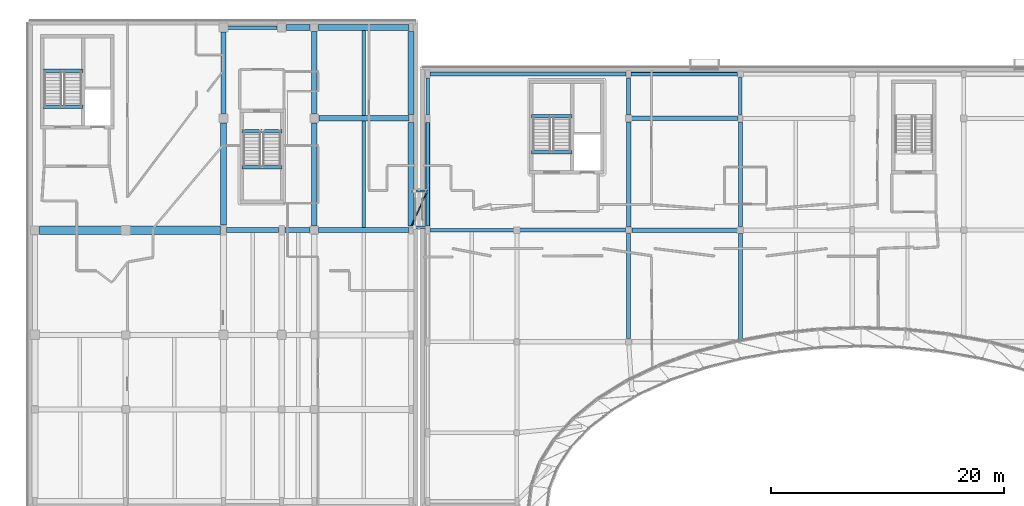
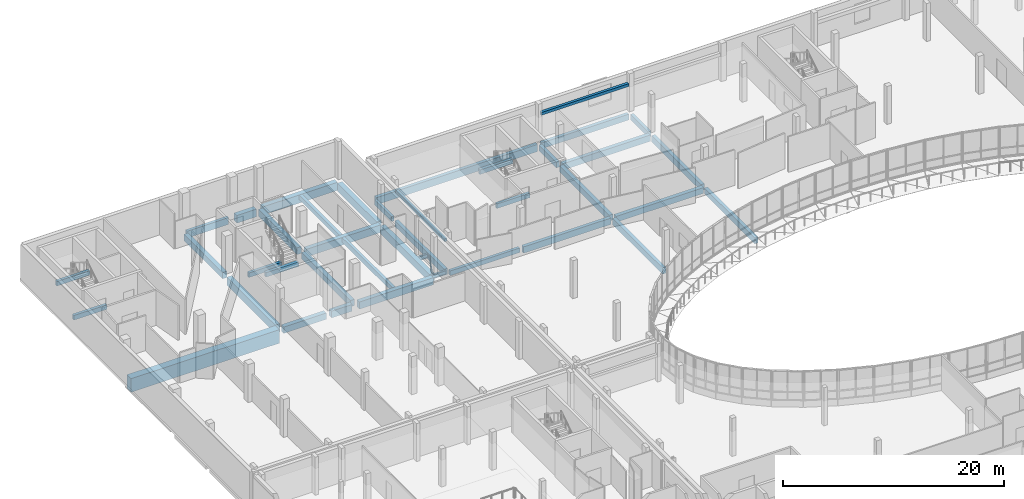
# One storey, part 22 of 84: 40 beams, 1 member.
"""IFC4 building model written with IfcOpenShell, lengths in metres."""

from ifc_helpers import new_model, si_unit, direction, frame, origin, origin_2d, place, context, subcontext, project, spatial, rectangle, hollow_rectangle, i_section, extrude, material, material_profile, profile_set, type_object, element, save


model = new_model("IFC4")

# Units and contexts
model_context = context("Model", 3, precision=1e-05, world=origin(), true_north=direction((0.0, 1.0)))
body_context = subcontext(model_context, "Body", "Model", "MODEL_VIEW")
ifc_project = project(units=[si_unit("LENGTHUNIT", "METRE"), si_unit("AREAUNIT", "SQUARE_METRE"), si_unit("VOLUMEUNIT", "CUBIC_METRE"), si_unit("PLANEANGLEUNIT", "RADIAN"), si_unit("MASSUNIT", "GRAM", prefix="KILO")], contexts=[model_context])

# Site, building, storey
site_placement = place(None, origin())
site = spatial("IfcSite", under=ifc_project, at=site_placement, CompositionType="ELEMENT")
building_placement = place(site_placement, origin())
building = spatial("IfcBuilding", under=site, at=building_placement, Name="Mzevani Central Library", CompositionType="ELEMENT")
storey_placement = place(building_placement, frame((0.0, 0.0, 5.39990234375)))
storey = spatial("IfcBuildingStorey", under=building, at=storey_placement, Name="L01", CompositionType="ELEMENT", Elevation=5.39990234375)

# Beams
ifc_material_1 = material(Name="Concrete C35/45", Category="concrete")
ifc_material_profile_1 = material_profile(ifc_material_1, rectangle(XDim=0.300048828125, YDim=0.5, at=origin_2d()), Name="RC B300x500")
ifc_profile_set_1 = profile_set([ifc_material_profile_1], Name="Concrete C35/45")
beam_type_1 = type_object("IfcBeamType", Name="Beam RC 300x500", PredefinedType="BEAM", material=ifc_profile_set_1)
beam_1_placement = place(storey_placement, frame((46.925048828125, 100.0, -0.52978515625), z_axis=(1.0, 0.0, 0.0), x_axis=(0.0, 1.0, 0.0)))
element("IfcBeam", 1, at=beam_1_placement, inside=storey, type_object=beam_type_1, Name="L01 V3 Girder B-01 (464)", PredefinedType="BEAM", context=body_context, shape_type="SweptSolid", body=[
    extrude(rectangle(XDim=0.300048828125, YDim=0.5, at=origin_2d()), origin(), (0.0, 0.0, 1.0), 7.27490234375),
])
for number, where, z_axis, x_axis, name in (
    (2, (13.679931640625, 113.679931640625, 1.650146484375), (1.0, 0.0, 0.0), (0.0, 1.0, 0.0), "L01 Core C2A North-West Firefighting Core Stair Landing Beam 1"),
    (3, (13.679931640625, 110.60009765625, -0.25), (1.0, 0.0, 0.0), (0.0, 1.0, 0.0), "L01 Core C2A North-West Firefighting Core Stair Opening Trimmer Beam"),
):
    element("IfcBeam", number, at=place(storey_placement, frame(where, z_axis=z_axis, x_axis=x_axis)), inside=storey, type_object=beam_type_1, Name=name, PredefinedType="BEAM", context=body_context, shape_type="SweptSolid", body=[
        extrude(rectangle(XDim=0.300048828125, YDim=0.5, at=origin_2d()), origin(), (0.0, 0.0, 1.0), 3.440185546875),
    ])
for number, where, z_axis, x_axis, name in (
    (4, (30.780029296875, 105.419921875, 1.650146484375), (1.0, 0.0, 0.0), (0.0, 1.0, 0.0), "L01 Core C2B Stacks East Escape Stair Stair Landing Beam 1"),
    (5, (30.780029296875, 108.5, -0.25), (1.0, 0.0, 0.0), (0.0, 1.0, 0.0), "L01 Core C2B Stacks East Escape Stair Stair Opening Trimmer Beam"),
):
    element("IfcBeam", number, at=place(storey_placement, frame(where, z_axis=z_axis, x_axis=x_axis)), inside=storey, type_object=beam_type_1, Name=name, PredefinedType="BEAM", context=body_context, shape_type="SweptSolid", body=[
        extrude(rectangle(XDim=0.300048828125, YDim=0.5, at=origin_2d()), origin(), (0.0, 0.0, 1.0), 3.43994140625),
    ])
for number, where, z_axis, x_axis, name in (
    (6, (55.679931640625, 109.780029296875, 1.650146484375), (1.0, 0.0, 0.0), (0.0, 1.0, 0.0), "L01 Core C3A North-East Firefighting Core Stair Landing Beam 1"),
    (7, (55.679931640625, 106.699951171875, -0.25), (1.0, 0.0, 0.0), (0.0, 1.0, 0.0), "L01 Core C3A North-East Firefighting Core Stair Opening Trimmer Beam"),
):
    element("IfcBeam", number, at=place(storey_placement, frame(where, z_axis=z_axis, x_axis=x_axis)), inside=storey, type_object=beam_type_1, Name=name, PredefinedType="BEAM", context=body_context, shape_type="SweptSolid", body=[
        extrude(rectangle(XDim=0.300048828125, YDim=0.5, at=origin_2d()), origin(), (0.0, 0.0, 1.0), 3.440185546875),
    ])
ifc_material_profile_2 = material_profile(ifc_material_1, rectangle(XDim=0.300048828125, YDim=0.550048828125, at=origin_2d()), Name="RC B300x550")
ifc_profile_set_2 = profile_set([ifc_material_profile_2], Name="Concrete C35/45")
beam_type_2 = type_object("IfcBeamType", Name="Beam RC 300x550", PredefinedType="BEAM", material=ifc_profile_set_2)
beam_2_placement = place(storey_placement, frame((46.75, 109.949951171875, -0.554931640625), z_axis=(0.0, 1.0, 0.0), x_axis=(-1.0, 0.0, 0.0)))
element("IfcBeam", 8, at=beam_2_placement, inside=storey, type_object=beam_type_2, Name="L01 V3 Frame Beam B-02 (497)", PredefinedType="BEAM", context=body_context, shape_type="SweptSolid", body=[
    extrude(rectangle(XDim=0.300048828125, YDim=0.550048828125, at=origin_2d()), origin(), (0.0, 0.0, 1.0), 3.10009765625),
])
ifc_material_profile_3 = material_profile(ifc_material_1, rectangle(XDim=0.300048828125, YDim=0.60009765625, at=origin_2d()), Name="RC B300x600")
ifc_profile_set_3 = profile_set([ifc_material_profile_3], Name="Concrete C35/45")
beam_type_3 = type_object("IfcBeamType", Name="Beam RC 300x600", PredefinedType="BEAM", material=ifc_profile_set_3)
beam_3_placement = place(storey_placement, frame((73.60009765625, 109.925048828125, -0.579833984375), z_axis=(0.0, 1.0, 0.0), x_axis=(-1.0, 0.0, 0.0)))
element("IfcBeam", 9, at=beam_3_placement, inside=storey, type_object=beam_type_3, Name="L01 V3 Frame Beam B-03 (506)", PredefinedType="BEAM", context=body_context, shape_type="SweptSolid", body=[
    extrude(rectangle(XDim=0.300048828125, YDim=0.60009765625, at=origin_2d()), origin(), (0.0, 0.0, 1.0), 3.199951171875),
])
ifc_material_profile_4 = material_profile(ifc_material_1, rectangle(XDim=0.35009765625, YDim=0.60009765625, at=origin_2d()), Name="RC B350x600")
ifc_profile_set_4 = profile_set([ifc_material_profile_4], Name="Concrete C35/45")
beam_type_4 = type_object("IfcBeamType", Name="Beam RC 350x600", PredefinedType="BEAM", material=ifc_profile_set_4)
beam_4_placement = place(storey_placement, frame((64.0, 109.89990234375, -0.579833984375), z_axis=(0.0, 1.0, 0.0), x_axis=(-1.0, 0.0, 0.0)))
element("IfcBeam", 10, at=beam_4_placement, inside=storey, type_object=beam_type_4, Name="L01 V3 Frame Beam B-04 (503)", PredefinedType="BEAM", context=body_context, shape_type="SweptSolid", body=[
    extrude(rectangle(XDim=0.35009765625, YDim=0.60009765625, at=origin_2d()), origin(), (0.0, 0.0, 1.0), 3.175048828125),
])
ifc_material_profile_5 = material_profile(ifc_material_1, rectangle(XDim=0.35009765625, YDim=0.64990234375, at=origin_2d()), Name="RC B350x650")
ifc_profile_set_5 = profile_set([ifc_material_profile_5], Name="Concrete C35/45")
beam_type_5 = type_object("IfcBeamType", Name="Beam RC 350x650", PredefinedType="BEAM", material=ifc_profile_set_5)
beam_5_placement = place(storey_placement, frame((64.22509765625, 113.39990234375, -0.60498046875), z_axis=(1.0, 0.0, 0.0), x_axis=(0.0, 1.0, 0.0)))
element("IfcBeam", 11, at=beam_5_placement, inside=storey, type_object=beam_type_5, Name="L01 V3 Girder B-05 (484)", PredefinedType="BEAM", context=body_context, shape_type="SweptSolid", body=[
    extrude(rectangle(XDim=0.35009765625, YDim=0.64990234375, at=origin_2d()), origin(), (0.0, 0.0, 1.0), 9.099853515625),
])
beam_6_placement = place(storey_placement, frame((46.75, 100.35009765625, -0.60498046875), z_axis=(0.0, 1.0, 0.0), x_axis=(-1.0, 0.0, 0.0)))
element("IfcBeam", 12, at=beam_6_placement, inside=storey, type_object=beam_type_5, Name="L01 V3 Frame Beam B-05 (496)", PredefinedType="BEAM", context=body_context, shape_type="SweptSolid", body=[
    extrude(rectangle(XDim=0.35009765625, YDim=0.64990234375, at=origin_2d()), origin(), (0.0, 0.0, 1.0), 8.89990234375),
])
beam_7_placement = place(storey_placement, frame((73.60009765625, 90.574951171875, -0.60498046875), z_axis=(0.0, 1.0, 0.0), x_axis=(-1.0, 0.0, 0.0)))
element("IfcBeam", 13, at=beam_7_placement, inside=storey, type_object=beam_type_5, Name="L01 V3 Frame Beam B-05 (504)", PredefinedType="BEAM", context=body_context, shape_type="SweptSolid", body=[
    extrude(rectangle(XDim=0.35009765625, YDim=0.64990234375, at=origin_2d()), origin(), (0.0, 0.0, 1.0), 9.125),
])
ifc_material_profile_6 = material_profile(ifc_material_1, rectangle(XDim=0.35009765625, YDim=0.699951171875, at=origin_2d()), Name="RC B350x700")
ifc_profile_set_6 = profile_set([ifc_material_profile_6], Name="Concrete C35/45")
beam_type_6 = type_object("IfcBeamType", Name="Beam RC 350x700", PredefinedType="BEAM", material=ifc_profile_set_6)
beam_8_placement = place(storey_placement, frame((54.60009765625, 100.0, -0.6298828125), z_axis=(1.0, 0.0, 0.0), x_axis=(0.0, 1.0, 0.0)))
element("IfcBeam", 14, at=beam_8_placement, inside=storey, type_object=beam_type_6, Name="L01 V3 Girder B-06 (465)", PredefinedType="BEAM", context=body_context, shape_type="SweptSolid", body=[
    extrude(rectangle(XDim=0.35009765625, YDim=0.699951171875, at=origin_2d()), origin(), (0.0, 0.0, 1.0), 9.125),
])
beam_9_placement = place(storey_placement, frame((64.0, 90.675048828125, -0.6298828125), z_axis=(0.0, 1.0, 0.0), x_axis=(-1.0, 0.0, 0.0)))
element("IfcBeam", 15, at=beam_9_placement, inside=storey, type_object=beam_type_6, Name="L01 V3 Frame Beam B-06 (501)", PredefinedType="BEAM", context=body_context, shape_type="SweptSolid", body=[
    extrude(rectangle(XDim=0.35009765625, YDim=0.699951171875, at=origin_2d()), origin(), (0.0, 0.0, 1.0), 9.050048828125),
])
beam_10_placement = place(storey_placement, frame((73.60009765625, 100.300048828125, -0.6298828125), z_axis=(0.0, 1.0, 0.0), x_axis=(-1.0, 0.0, 0.0)))
element("IfcBeam", 16, at=beam_10_placement, inside=storey, type_object=beam_type_6, Name="L01 V3 Frame Beam B-06 (505)", PredefinedType="BEAM", context=body_context, shape_type="SweptSolid", body=[
    extrude(rectangle(XDim=0.35009765625, YDim=0.699951171875, at=origin_2d()), origin(), (0.0, 0.0, 1.0), 8.974853515625),
])
ifc_material_profile_7 = material_profile(ifc_material_1, rectangle(XDim=0.39990234375, YDim=0.64990234375, at=origin_2d()), Name="RC B400x650")
ifc_profile_set_7 = profile_set([ifc_material_profile_7], Name="Concrete C35/45")
beam_type_7 = type_object("IfcBeamType", Name="Beam RC 400x650", PredefinedType="BEAM", material=ifc_profile_set_7)
beam_11_placement = place(storey_placement, frame((64.27490234375, 100.0, -0.60498046875), z_axis=(1.0, 0.0, 0.0), x_axis=(0.0, 1.0, 0.0)))
element("IfcBeam", 17, at=beam_11_placement, inside=storey, type_object=beam_type_7, Name="L01 V3 Girder B-07 (466)", PredefinedType="BEAM", context=body_context, shape_type="SweptSolid", body=[
    extrude(rectangle(XDim=0.39990234375, YDim=0.64990234375, at=origin_2d()), origin(), (0.0, 0.0, 1.0), 9.125),
])
beam_12_placement = place(storey_placement, frame((64.0, 100.27490234375, -0.60498046875), z_axis=(0.0, 1.0, 0.0), x_axis=(-1.0, 0.0, 0.0)))
element("IfcBeam", 18, at=beam_12_placement, inside=storey, type_object=beam_type_7, Name="L01 V3 Frame Beam B-07 (502)", PredefinedType="BEAM", context=body_context, shape_type="SweptSolid", body=[
    extrude(rectangle(XDim=0.39990234375, YDim=0.64990234375, at=origin_2d()), origin(), (0.0, 0.0, 1.0), 9.025146484375),
])
ifc_material_profile_8 = material_profile(ifc_material_1, rectangle(XDim=0.39990234375, YDim=0.699951171875, at=origin_2d()), Name="RC B400x700")
ifc_profile_set_8 = profile_set([ifc_material_profile_8], Name="Concrete C35/45")
beam_type_8 = type_object("IfcBeamType", Name="Beam RC 400x700", PredefinedType="BEAM", material=ifc_profile_set_8)
beam_13_placement = place(storey_placement, frame((64.199951171875, 109.60009765625, -0.6298828125), z_axis=(1.0, 0.0, 0.0), x_axis=(0.0, 1.0, 0.0)))
element("IfcBeam", 19, at=beam_13_placement, inside=storey, type_object=beam_type_8, Name="L01 V3 Girder B-08 (475)", PredefinedType="BEAM", context=body_context, shape_type="SweptSolid", body=[
    extrude(rectangle(XDim=0.39990234375, YDim=0.699951171875, at=origin_2d()), origin(), (0.0, 0.0, 1.0), 9.175048828125),
])
ifc_material_2 = material(Name="Steel S355J2", Category="steel")
ifc_material_profile_9 = material_profile(ifc_material_2, i_section(OverallWidth=0.18994140625, OverallDepth=0.449951171875, WebThickness=0.009521484375, FlangeThickness=0.0146484375, FilletRadius=0.02099609375, at=origin_2d()), Name="IPE 450")
ifc_profile_set_9 = profile_set([ifc_material_profile_9], Name="Steel S355J2")
beam_type_9 = type_object("IfcBeamType", Name="Bridge Primary Girder IPE 450", PredefinedType="BEAM", material=ifc_profile_set_9)
for number, where, z_axis, x_axis, name in (
    (20, (45.300048828125, 100.25, -0.5498046875), (1.0, 0.0, 0.0), (0.0, 1.0, 0.0), "L01 Stacks-Court Seismic Passage L01 Girder 1"),
    (21, (45.300048828125, 103.35009765625, -0.5498046875), (1.0, 0.0, 0.0), (0.0, 1.0, 0.0), "L01 Stacks-Court Seismic Passage L01 Girder 2"),
):
    element("IfcBeam", number, at=place(storey_placement, frame(where, z_axis=z_axis, x_axis=x_axis)), inside=storey, type_object=beam_type_9, Name=name, PredefinedType="BEAM", context=body_context, shape_type="SweptSolid", body=[
        extrude(i_section(OverallWidth=0.18994140625, OverallDepth=0.449951171875, WebThickness=0.009521484375, FlangeThickness=0.0146484375, FilletRadius=0.02099609375, at=origin_2d()), origin(), (0.0, 0.0, 1.0), 1.39990234375),
    ])

# Member
ifc_material_profile_10 = material_profile(ifc_material_2, hollow_rectangle(XDim=0.080078125, YDim=0.159912109375, WallThickness=0.008056640625, at=origin_2d()), Name="RHS 160x80x8.0")
ifc_profile_set_10 = profile_set([ifc_material_profile_10], Name="Steel S355J2")
member_type = type_object("IfcMemberType", Name="Bridge Truss Chord RHS 160x80", PredefinedType="CHORD", material=ifc_profile_set_10)
member_placement = place(storey_placement, frame((45.300048828125, 100.25, -0.3798828125), z_axis=(0.411552106839, 0.911386231713, 0.0), x_axis=(-0.911386231713, 0.411552106839, 0.0)))
element("IfcMember", 22, at=member_placement, inside=storey, type_object=member_type, Name="L01 Stacks-Court Seismic Passage L01 Diaphragm Chord", PredefinedType="CHORD", context=body_context, shape_type="SweptSolid", body=[
    extrude(hollow_rectangle(XDim=0.080078125, YDim=0.159912109375, WallThickness=0.008056640625, at=origin_2d()), origin(), (0.0, 0.0, 1.0), 3.401611328125),
])

# Beams
ifc_material_3 = material(Name="Precast concrete C40/50", Category="concrete")
ifc_material_profile_11 = material_profile(ifc_material_3, rectangle(XDim=0.35009765625, YDim=0.800048828125, at=origin_2d()), Name="RC SP350x800")
ifc_profile_set_11 = profile_set([ifc_material_profile_11], Name="Precast concrete C40/50")
beam_type_10 = type_object("IfcBeamType", Name="Colonnade Fascia Beam RC 350x800", PredefinedType="SPANDREL", material=ifc_profile_set_11)
beam_14_placement = place(storey_placement, frame((46.925048828125, 113.39990234375, -0.679931640625), z_axis=(1.0, 0.0, 0.0), x_axis=(0.0, 1.0, 0.0)))
element("IfcBeam", 23, at=beam_14_placement, inside=storey, type_object=beam_type_10, Name="L01 V3 Girder SP-02 (483)", PredefinedType="SPANDREL", context=body_context, shape_type="SweptSolid", body=[
    extrude(rectangle(XDim=0.35009765625, YDim=0.800048828125, at=origin_2d()), origin(), (0.0, 0.0, 1.0), 16.849853515625),
])
ifc_material_profile_12 = material_profile(ifc_material_3, rectangle(XDim=0.300048828125, YDim=0.75, at=origin_2d()), Name="RC SP300x750")
ifc_profile_set_12 = profile_set([ifc_material_profile_12], Name="Precast concrete C40/50")
beam_type_11 = type_object("IfcBeamType", Name="Edge Spandrel Beam RC 300x750", PredefinedType="SPANDREL", material=ifc_profile_set_12)
beam_15_placement = place(storey_placement, frame((29.449951171875, 117.39990234375, -0.69482421875), z_axis=(1.0, 0.0, 0.0), x_axis=(0.0, 1.0, 0.0)))
element("IfcBeam", 24, at=beam_15_placement, inside=storey, type_object=beam_type_11, Name="L01 V2 Girder SP-01 (228)", PredefinedType="SPANDREL", context=body_context, shape_type="SweptSolid", body=[
    extrude(rectangle(XDim=0.300048828125, YDim=0.75, at=origin_2d()), origin(), (0.0, 0.0, 1.0), 4.35009765625),
])
ifc_material_profile_13 = material_profile(ifc_material_3, rectangle(XDim=0.280029296875, YDim=0.320068359375, at=origin_2d()), Name="PC LN280x320")
ifc_profile_set_13 = profile_set([ifc_material_profile_13], Name="Precast concrete C40/50")
beam_type_12 = type_object("IfcBeamType", Name="Precast Window Lintel 280x320", PredefinedType="LINTEL", material=ifc_profile_set_13)
beam_16_placement = place(storey_placement, frame((64.199951171875, 113.39990234375, 2.91015625), z_axis=(1.0, 0.0, 0.0), x_axis=(0.0, 1.0, 0.0)))
element("IfcBeam", 25, at=beam_16_placement, inside=storey, type_object=beam_type_12, Name="L01 V3 Precast Portal Lintel (39)", PredefinedType="LINTEL", context=body_context, shape_type="SweptSolid", body=[
    extrude(rectangle(XDim=0.280029296875, YDim=0.320068359375, at=origin_2d()), origin(), (0.0, 0.0, 1.0), 9.150146484375),
])
beam_17_placement = place(storey_placement, frame((46.75, 100.35009765625, 2.91015625), z_axis=(0.0, 1.0, 0.0), x_axis=(-1.0, 0.0, 0.0)))
element("IfcBeam", 26, at=beam_17_placement, inside=storey, type_object=beam_type_12, Name="L01 V3 Precast Portal Lintel (45)", PredefinedType="LINTEL", context=body_context, shape_type="SweptSolid", body=[
    extrude(rectangle(XDim=0.280029296875, YDim=0.320068359375, at=origin_2d()), origin(), (0.0, 0.0, 1.0), 8.89990234375),
])
ifc_material_4 = material(Name="Concrete C40/50", Category="concrete")
ifc_material_profile_14 = material_profile(ifc_material_4, rectangle(XDim=0.449951171875, YDim=0.699951171875, at=origin_2d()), Name="RC B450x700")
ifc_profile_set_14 = profile_set([ifc_material_profile_14], Name="Concrete C40/50")
beam_type_13 = type_object("IfcBeamType", Name="Stack Girder RC 450x700", PredefinedType="BEAM", material=ifc_profile_set_14)
beam_18_placement = place(storey_placement, frame((29.47509765625, 100.0, -0.669921875), z_axis=(1.0, 0.0, 0.0), x_axis=(0.0, 1.0, 0.0)))
element("IfcBeam", 27, at=beam_18_placement, inside=storey, type_object=beam_type_13, Name="L01 V2 Girder BG-01 (224)", PredefinedType="BEAM", context=body_context, shape_type="SweptSolid", body=[
    extrude(rectangle(XDim=0.449951171875, YDim=0.699951171875, at=origin_2d()), origin(), (0.0, 0.0, 1.0), 4.449951171875),
])
beam_19_placement = place(storey_placement, frame((29.199951171875, 110.0, -0.669921875), z_axis=(0.0, 1.0, 0.0), x_axis=(-1.0, 0.0, 0.0)))
element("IfcBeam", 28, at=beam_19_placement, inside=storey, type_object=beam_type_13, Name="L01 V2 Frame Beam BG-01 (245)", PredefinedType="BEAM", context=body_context, shape_type="SweptSolid", body=[
    extrude(rectangle(XDim=0.449951171875, YDim=0.699951171875, at=origin_2d()), origin(), (0.0, 0.0, 1.0), 7.0),
])
beam_20_placement = place(storey_placement, frame((37.0, 100.375, -0.669921875), z_axis=(0.0, 1.0, 0.0), x_axis=(-1.0, 0.0, 0.0)))
element("IfcBeam", 29, at=beam_20_placement, inside=storey, type_object=beam_type_13, Name="L01 V2 Frame Beam BG-01 (252)", PredefinedType="BEAM", context=body_context, shape_type="SweptSolid", body=[
    extrude(rectangle(XDim=0.449951171875, YDim=0.699951171875, at=origin_2d()), origin(), (0.0, 0.0, 1.0), 8.824951171875),
])
ifc_material_profile_15 = material_profile(ifc_material_4, rectangle(XDim=0.449951171875, YDim=0.75, at=origin_2d()), Name="RC B450x750")
ifc_profile_set_15 = profile_set([ifc_material_profile_15], Name="Concrete C40/50")
beam_type_14 = type_object("IfcBeamType", Name="Stack Girder RC 450x750", PredefinedType="BEAM", material=ifc_profile_set_15)
beam_21_placement = place(storey_placement, frame((34.47509765625, 100.0, -0.69482421875), z_axis=(1.0, 0.0, 0.0), x_axis=(0.0, 1.0, 0.0)))
element("IfcBeam", 30, at=beam_21_placement, inside=storey, type_object=beam_type_14, Name="L01 V2 Girder BG-02 (225)", PredefinedType="BEAM", context=body_context, shape_type="SweptSolid", body=[
    extrude(rectangle(XDim=0.449951171875, YDim=0.75, at=origin_2d()), origin(), (0.0, 0.0, 1.0), 2.14990234375),
])
beam_22_placement = place(storey_placement, frame((37.0, 110.0, -0.69482421875), z_axis=(0.0, 1.0, 0.0), x_axis=(-1.0, 0.0, 0.0)))
element("IfcBeam", 31, at=beam_22_placement, inside=storey, type_object=beam_type_14, Name="L01 V2 Frame Beam BG-02 (253)", PredefinedType="BEAM", context=body_context, shape_type="SweptSolid", body=[
    extrude(rectangle(XDim=0.449951171875, YDim=0.75, at=origin_2d()), origin(), (0.0, 0.0, 1.0), 7.050048828125),
])
ifc_material_profile_16 = material_profile(ifc_material_4, rectangle(XDim=0.449951171875, YDim=0.800048828125, at=origin_2d()), Name="RC B450x800")
ifc_profile_set_16 = profile_set([ifc_material_profile_16], Name="Concrete C40/50")
beam_type_15 = type_object("IfcBeamType", Name="Stack Girder RC 450x800", PredefinedType="BEAM", material=ifc_profile_set_16)
beam_23_placement = place(storey_placement, frame((37.375, 100.0, -0.719970703125), z_axis=(1.0, 0.0, 0.0), x_axis=(0.0, 1.0, 0.0)))
element("IfcBeam", 32, at=beam_23_placement, inside=storey, type_object=beam_type_15, Name="L01 V2 Girder BG-03 (226)", PredefinedType="BEAM", context=body_context, shape_type="SweptSolid", body=[
    extrude(rectangle(XDim=0.449951171875, YDim=0.800048828125, at=origin_2d()), origin(), (0.0, 0.0, 1.0), 7.75),
])
ifc_material_profile_17 = material_profile(ifc_material_4, rectangle(XDim=0.449951171875, YDim=0.85009765625, at=origin_2d()), Name="RC B450x850")
ifc_profile_set_17 = profile_set([ifc_material_profile_17], Name="Concrete C40/50")
beam_type_16 = type_object("IfcBeamType", Name="Stack Girder RC 450x850", PredefinedType="BEAM", material=ifc_profile_set_17)
beam_24_placement = place(storey_placement, frame((37.39990234375, 109.60009765625, -0.744873046875), z_axis=(1.0, 0.0, 0.0), x_axis=(0.0, 1.0, 0.0)))
element("IfcBeam", 33, at=beam_24_placement, inside=storey, type_object=beam_type_16, Name="L01 V2 Girder BG-04 (227)", PredefinedType="BEAM", context=body_context, shape_type="SweptSolid", body=[
    extrude(rectangle(XDim=0.449951171875, YDim=0.85009765625, at=origin_2d()), origin(), (0.0, 0.0, 1.0), 7.72509765625),
])
ifc_material_profile_18 = material_profile(ifc_material_4, rectangle(XDim=0.5, YDim=0.85009765625, at=origin_2d()), Name="RC B500x850")
ifc_profile_set_18 = profile_set([ifc_material_profile_18], Name="Concrete C40/50")
beam_type_17 = type_object("IfcBeamType", Name="Stack Girder RC 500x850", PredefinedType="BEAM", material=ifc_profile_set_18)
beam_25_placement = place(storey_placement, frame((34.60009765625, 117.39990234375, -0.744873046875), z_axis=(1.0, 0.0, 0.0), x_axis=(0.0, 1.0, 0.0)))
element("IfcBeam", 34, at=beam_25_placement, inside=storey, type_object=beam_type_17, Name="L01 V2 Girder BG-06 (229)", PredefinedType="BEAM", context=body_context, shape_type="SweptSolid", body=[
    extrude(rectangle(XDim=0.5, YDim=0.85009765625, at=origin_2d()), origin(), (0.0, 0.0, 1.0), 2.0498046875),
])
beam_26_placement = place(storey_placement, frame((45.300048828125, 100.35009765625, -0.744873046875), z_axis=(0.0, 1.0, 0.0), x_axis=(-1.0, 0.0, 0.0)))
element("IfcBeam", 35, at=beam_26_placement, inside=storey, type_object=beam_type_17, Name="L01 V2 Frame Beam BG-06 (257)", PredefinedType="BEAM", context=body_context, shape_type="SweptSolid", body=[
    extrude(rectangle(XDim=0.5, YDim=0.85009765625, at=origin_2d()), origin(), (0.0, 0.0, 1.0), 8.89990234375),
])
ifc_material_profile_19 = material_profile(ifc_material_4, rectangle(XDim=0.5, YDim=0.89990234375, at=origin_2d()), Name="RC B500x900")
ifc_profile_set_19 = profile_set([ifc_material_profile_19], Name="Concrete C40/50")
beam_type_18 = type_object("IfcBeamType", Name="Stack Girder RC 500x900", PredefinedType="BEAM", material=ifc_profile_set_19)
beam_27_placement = place(storey_placement, frame((37.35009765625, 117.39990234375, -0.77001953125), z_axis=(1.0, 0.0, 0.0), x_axis=(0.0, 1.0, 0.0)))
element("IfcBeam", 36, at=beam_27_placement, inside=storey, type_object=beam_type_18, Name="L01 V2 Girder BG-07 (230)", PredefinedType="BEAM", context=body_context, shape_type="SweptSolid", body=[
    extrude(rectangle(XDim=0.5, YDim=0.89990234375, at=origin_2d()), origin(), (0.0, 0.0, 1.0), 7.77490234375),
])
beam_28_placement = place(storey_placement, frame((29.199951171875, 100.425048828125, -0.77001953125), z_axis=(0.0, 1.0, 0.0), x_axis=(-1.0, 0.0, 0.0)))
element("IfcBeam", 37, at=beam_28_placement, inside=storey, type_object=beam_type_18, Name="L01 V2 Frame Beam BG-07 (244)", PredefinedType="BEAM", context=body_context, shape_type="SweptSolid", body=[
    extrude(rectangle(XDim=0.5, YDim=0.89990234375, at=origin_2d()), origin(), (0.0, 0.0, 1.0), 8.77490234375),
])
beam_29_placement = place(storey_placement, frame((45.300048828125, 109.949951171875, -0.77001953125), z_axis=(0.0, 1.0, 0.0), x_axis=(-1.0, 0.0, 0.0)))
element("IfcBeam", 38, at=beam_29_placement, inside=storey, type_object=beam_type_18, Name="L01 V2 Frame Beam BG-07 (258)", PredefinedType="BEAM", context=body_context, shape_type="SweptSolid", body=[
    extrude(rectangle(XDim=0.5, YDim=0.89990234375, at=origin_2d()), origin(), (0.0, 0.0, 1.0), 7.10009765625),
])
ifc_material_profile_20 = material_profile(ifc_material_4, rectangle(XDim=0.300048828125, YDim=0.52001953125, at=origin_2d()), Name="RC J300x520")
ifc_profile_set_20 = profile_set([ifc_material_profile_20], Name="Concrete C40/50")
beam_type_19 = type_object("IfcBeamType", Name="Stack Joist RC 300x520", PredefinedType="JOIST", material=ifc_profile_set_20)
beam_30_placement = place(storey_placement, frame((41.262451171875, 100.22509765625, -0.579833984375), z_axis=(0.0, 1.0, 0.0), x_axis=(-1.0, 0.0, 0.0)))
element("IfcBeam", 39, at=beam_30_placement, inside=storey, type_object=beam_type_19, Name="L01 V2 Floor Joist BJ-04 (275)", PredefinedType="JOIST", context=body_context, shape_type="SweptSolid", body=[
    extrude(rectangle(XDim=0.300048828125, YDim=0.52001953125, at=origin_2d()), origin(), (0.0, 0.0, 1.0), 9.14990234375),
])
beam_31_placement = place(storey_placement, frame((41.262451171875, 109.824951171875, -0.579833984375), z_axis=(0.0, 1.0, 0.0), x_axis=(-1.0, 0.0, 0.0)))
element("IfcBeam", 40, at=beam_31_placement, inside=storey, type_object=beam_type_19, Name="L01 V2 Floor Joist BJ-04 (276)", PredefinedType="JOIST", context=body_context, shape_type="SweptSolid", body=[
    extrude(rectangle(XDim=0.300048828125, YDim=0.52001953125, at=origin_2d()), origin(), (0.0, 0.0, 1.0), 7.324951171875),
])
ifc_material_profile_21 = material_profile(ifc_material_4, rectangle(XDim=0.75, YDim=1.5, at=origin_2d()), Name="RC TG750x1500")
ifc_profile_set_21 = profile_set([ifc_material_profile_21], Name="Concrete C40/50")
beam_type_20 = type_object("IfcBeamType", Name="Transfer Girder RC 750x1500", PredefinedType="BEAM", material=ifc_profile_set_21)
beam_32_placement = place(storey_placement, frame((13.39990234375, 100.0, -1.06982421875), z_axis=(1.0, 0.0, 0.0), x_axis=(0.0, 1.0, 0.0)))
element("IfcBeam", 41, at=beam_32_placement, inside=storey, type_object=beam_type_20, Name="L01 V2 Transfer Girder TG-03 (223)", PredefinedType="BEAM", context=body_context, shape_type="SweptSolid", body=[
    extrude(rectangle(XDim=0.75, YDim=1.5, at=origin_2d()), origin(), (0.0, 0.0, 1.0), 15.525146484375),
])

save(model, "model.ifc")
